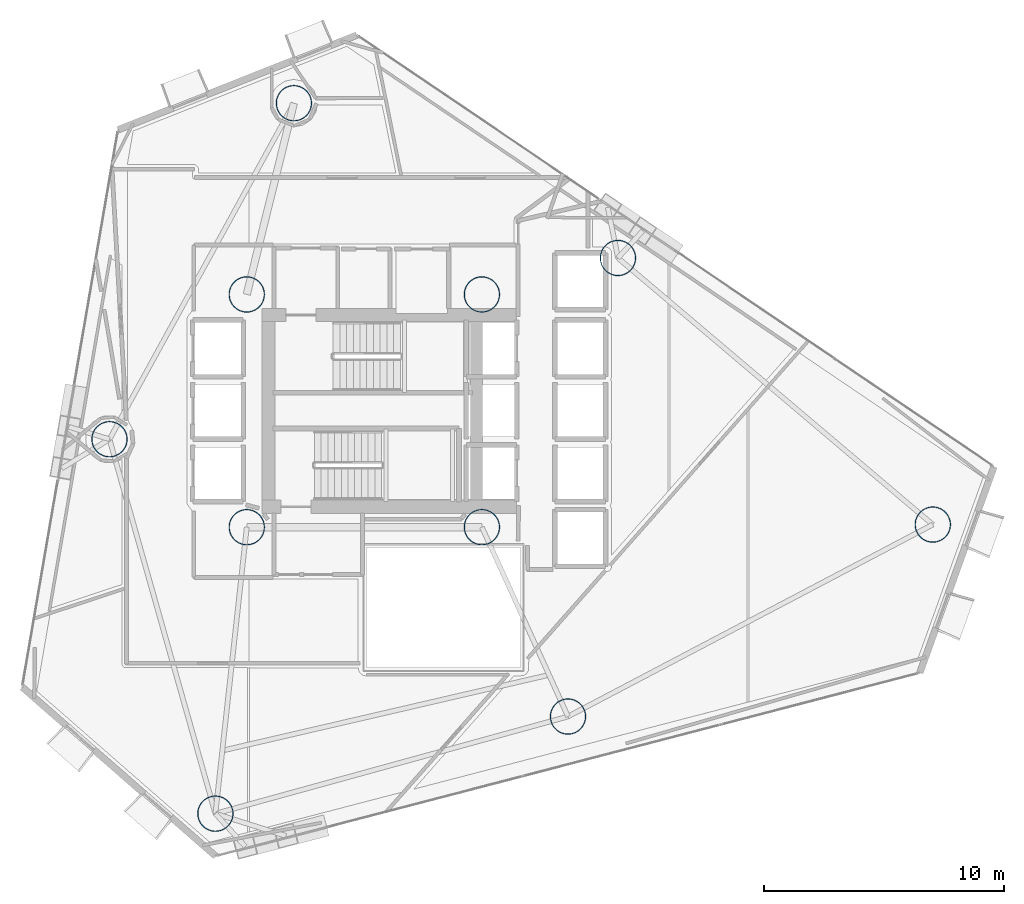
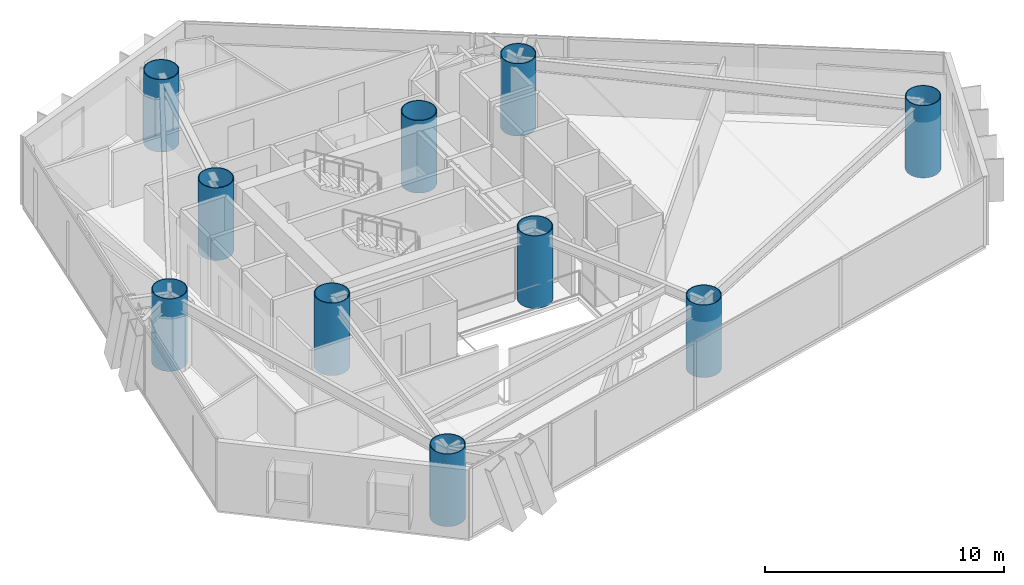
# One storey, part 1 of 21: 10 columns.
"""IFC4 building model written with IfcOpenShell, lengths in metres."""

from ifc_helpers import new_model, si_unit, direction, frame, origin, origin_2d, place, context, subcontext, project, spatial, hollow_circle, extrude, material, material_profile, profile_set, type_object, element, save


model = new_model("IFC4")

# Units and contexts
model_context = context("Model", 3, precision=1e-05, world=origin(), true_north=direction((0.0, 1.0)))
body_context = subcontext(model_context, "Body", "Model", "MODEL_VIEW")
ifc_project = project(units=[si_unit("LENGTHUNIT", "METRE"), si_unit("AREAUNIT", "SQUARE_METRE"), si_unit("VOLUMEUNIT", "CUBIC_METRE"), si_unit("PLANEANGLEUNIT", "RADIAN"), si_unit("MASSUNIT", "GRAM", prefix="KILO")], contexts=[model_context])

# Site, building, storey
site_placement = place(None, origin())
site = spatial("IfcSite", under=ifc_project, at=site_placement, CompositionType="ELEMENT")
building_placement = place(site_placement, origin())
building = spatial("IfcBuilding", under=site, at=building_placement, Name="Qianvela Tower", CompositionType="ELEMENT")
storey_placement = place(building_placement, frame((0.0, 0.0, 108.89990234375)))
storey = spatial("IfcBuildingStorey", under=building, at=storey_placement, Name="L27", CompositionType="ELEMENT", Elevation=108.89990234375)

# Columns
ifc_material = material(Name="Steel Q420GJC", Category="steel")
ifc_material_profile = material_profile(ifc_material, hollow_circle(Radius=0.75, WallThickness=0.035888671875, at=origin_2d()), Name="CFT-1500x36")
ifc_profile_set = profile_set([ifc_material_profile], Name="Steel Q420GJC")
column_type = type_object("IfcColumnType", Name="COL-CFT-1500x36", PredefinedType="COLUMN", material=ifc_profile_set)
for number, where, z_axis, x_axis, name in (
    (1, (28.60009765625, 33.550048828125, 0.0), (0.0, 0.0, 1.0), (1.0, 0.0, 0.0), "L27 Core Corner Mega-Column CC-NW"),
    (2, (28.60009765625, 23.85009765625, 0.0), (0.0, 0.0, 1.0), (1.0, 0.0, 0.0), "L27 Core Corner Mega-Column CC-SW"),
    (3, (38.39990234375, 33.550048828125, 0.0), (0.0, 0.0, 1.0), (1.0, 0.0, 0.0), "L27 Core Corner Mega-Column CC-NE"),
    (4, (38.39990234375, 23.85009765625, 0.0), (0.0, 0.0, 1.0), (1.0, 0.0, 0.0), "L27 Core Corner Mega-Column CC-SE"),
    (5, (57.194091796875, 23.9580078125, 0.0), (0.0, 0.0, 1.0), (1.0, 0.0, 0.0), "L27 Zone Z3 CFT Mega-Column C1"),
    (6, (44.071044921875, 35.070068359375, 0.0), (0.0, 0.0, 1.0), (1.0, 0.0, 0.0), "L27 Zone Z3 CFT Mega-Column C2"),
    (7, (30.56396484375, 41.52099609375, 0.0), (0.0, 0.0, 1.0), (1.0, 0.0, 0.0), "L27 Zone Z3 CFT Mega-Column C3"),
    (8, (22.8779296875, 27.51611328125, 0.0), (0.0, 0.0, 1.0), (1.0, 0.0, 0.0), "L27 Zone Z3 CFT Mega-Column C4"),
    (9, (27.2919921875, 11.908935546875, 0.0), (0.0, 0.0, 1.0), (1.0, 0.0, 0.0), "L27 Zone Z3 CFT Mega-Column C5"),
    (10, (41.988037109375, 15.95703125, 0.0), (0.0, 0.0, 1.0), (1.0, 0.0, 0.0), "L27 Zone Z3 CFT Mega-Column C6"),
):
    element("IfcColumn", number, at=place(storey_placement, frame(where, z_axis=z_axis, x_axis=x_axis)), inside=storey, type_object=column_type, Name=name, PredefinedType="COLUMN", context=body_context, shape_type="SweptSolid", body=[
        extrude(hollow_circle(Radius=0.75, WallThickness=0.035888671875, at=origin_2d()), origin(), (0.0, 0.0, 1.0), 3.7001953125),
    ])

save(model, "model.ifc")
